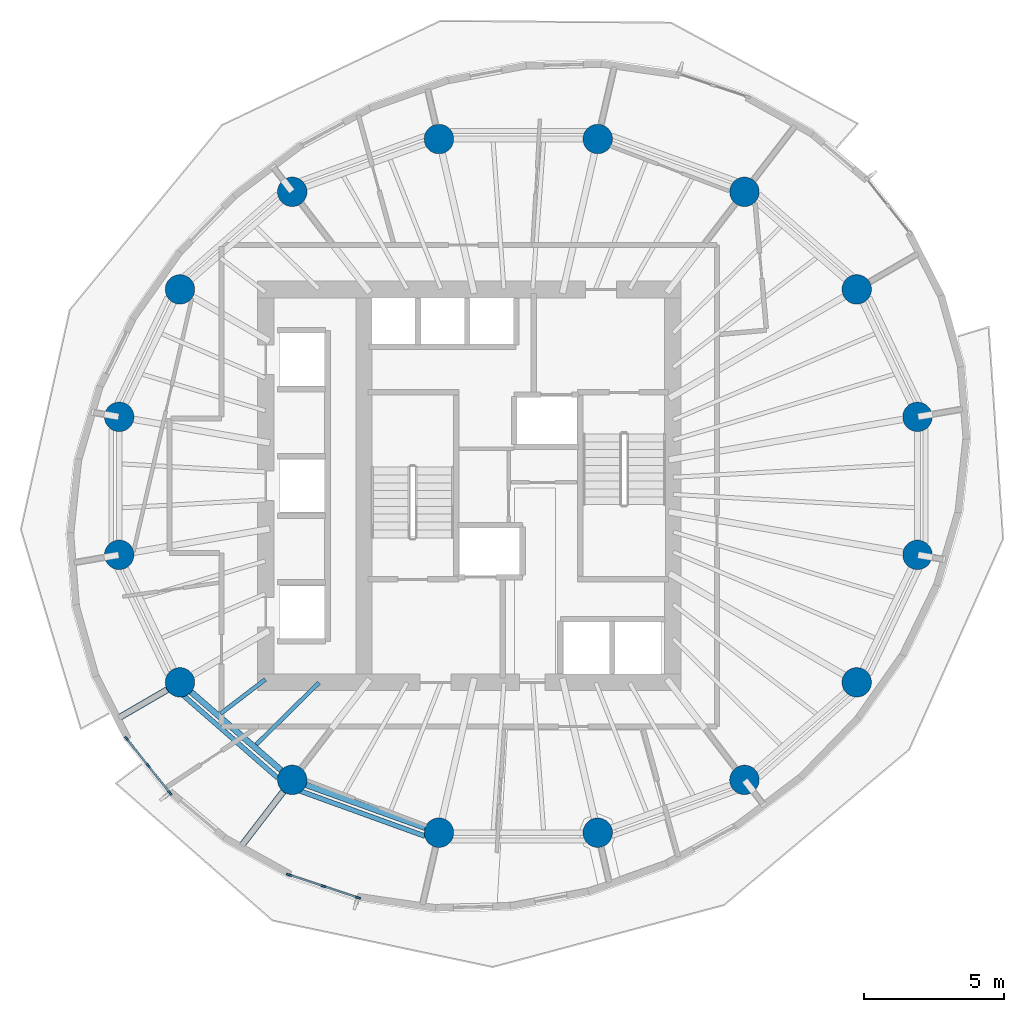
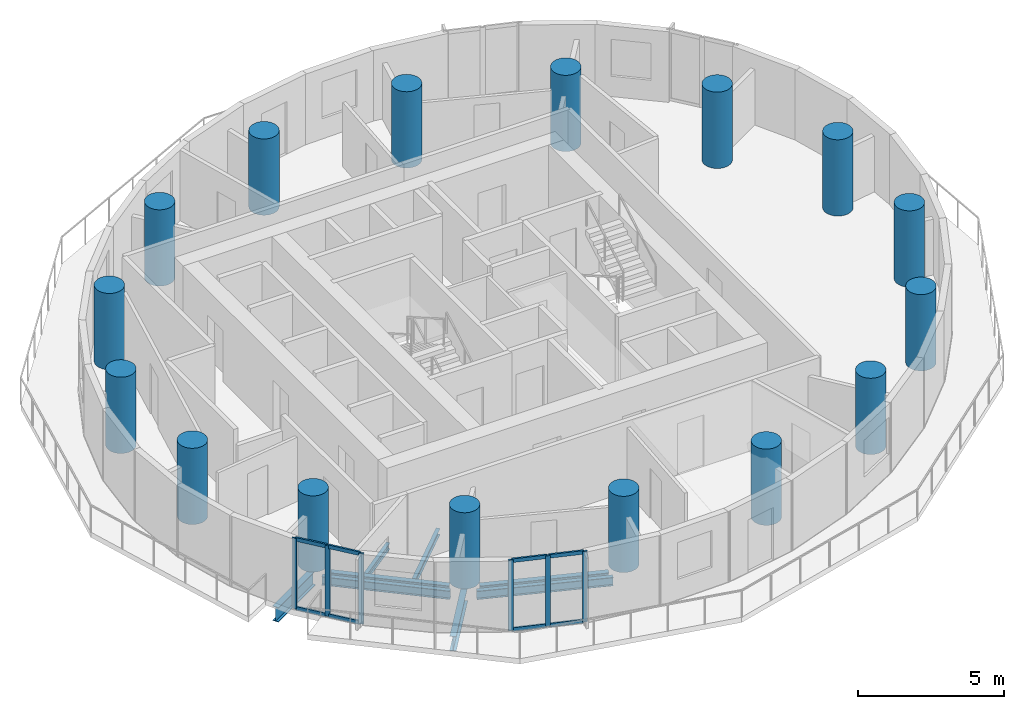
# One storey, part 1 of 12: 16 columns, 14 members, 8 beams, 2 elements without a shape of their own.
"""IFC4 building model written with IfcOpenShell, lengths in metres."""

from ifc_helpers import new_model, si_unit, direction, frame, origin, origin_2d, place, context, subcontext, project, spatial, rectangle, circle, i_section, extrude, material, material_profile, profile_set, type_object, element, aggregate, save


model = new_model("IFC4")

# Units and contexts
model_context = context("Model", 3, precision=1e-05, world=origin(), true_north=direction((0.0, 1.0)))
body_context = subcontext(model_context, "Body", "Model", "MODEL_VIEW")
ifc_project = project(units=[si_unit("LENGTHUNIT", "METRE"), si_unit("AREAUNIT", "SQUARE_METRE"), si_unit("VOLUMEUNIT", "CUBIC_METRE"), si_unit("PLANEANGLEUNIT", "RADIAN"), si_unit("MASSUNIT", "GRAM", prefix="KILO")], contexts=[model_context])

# Site, building, storey
site_placement = place(None, origin())
site = spatial("IfcSite", under=ifc_project, at=site_placement, CompositionType="ELEMENT")
building_placement = place(site_placement, origin())
building = spatial("IfcBuilding", under=site, at=building_placement, Name="Veldorim Arch Residences", CompositionType="ELEMENT")
storey_placement = place(building_placement, frame((0.0, 0.0, 132.9599609375)))
storey = spatial("IfcBuildingStorey", under=building, at=storey_placement, Name="L39", CompositionType="ELEMENT", Elevation=132.9599609375)

# Columns
ifc_material_1 = material(Name="Concrete C50/60", Category="concrete")
ifc_material_profile_1 = material_profile(ifc_material_1, circle(Radius=0.52490234375, at=origin_2d()), Name="RC_CIRC_1050")
ifc_profile_set_1 = profile_set([ifc_material_profile_1], Name="Concrete C50/60")
column_type = type_object("IfcColumnType", Name="Structural Column RC_CIRC_1050", PredefinedType="COLUMN", material=ifc_profile_set_1)
for number, where, z_axis, x_axis, name in (
    (1, (46.221435546875, 26.4580078125, 0.0), (0.0, 0.0, 1.0), (1.0, 0.0, 0.0), "L39 TC-Z3-01 perimeter column"),
    (2, (44.056396484375, 31.000244140625, 0.0), (0.0, 0.0, 1.0), (1.0, 0.0, 0.0), "L39 TC-Z3-02 perimeter column"),
    (3, (40.055908203125, 34.4765625, 0.0), (0.0, 0.0, 1.0), (1.0, 0.0, 0.0), "L39 TC-Z3-03 perimeter column"),
    (4, (34.828857421875, 36.35791015625, 0.0), (0.0, 0.0, 1.0), (1.0, 0.0, 0.0), "L39 TC-Z3-04 perimeter column"),
    (5, (29.171142578125, 36.35791015625, 0.0), (0.0, 0.0, 1.0), (1.0, 0.0, 0.0), "L39 TC-Z3-05 perimeter column"),
    (6, (23.944091796875, 34.4765625, 0.0), (0.0, 0.0, 1.0), (1.0, 0.0, 0.0), "L39 TC-Z3-06 perimeter column"),
    (7, (19.943603515625, 31.000244140625, 0.0), (0.0, 0.0, 1.0), (1.0, 0.0, 0.0), "L39 TC-Z3-07 perimeter column"),
    (8, (17.778564453125, 26.4580078125, 0.0), (0.0, 0.0, 1.0), (1.0, 0.0, 0.0), "L39 TC-Z3-08 perimeter column"),
    (9, (17.778564453125, 21.5419921875, 0.0), (0.0, 0.0, 1.0), (1.0, 0.0, 0.0), "L39 TC-Z3-09 perimeter column"),
    (10, (19.943603515625, 16.999755859375, 0.0), (0.0, 0.0, 1.0), (1.0, 0.0, 0.0), "L39 TC-Z3-10 perimeter column"),
    (11, (23.944091796875, 13.5234375, 0.0), (0.0, 0.0, 1.0), (1.0, 0.0, 0.0), "L39 TC-Z3-11 perimeter column"),
    (12, (29.171142578125, 11.64208984375, 0.0), (0.0, 0.0, 1.0), (1.0, 0.0, 0.0), "L39 TC-Z3-12 perimeter column"),
    (13, (34.828857421875, 11.64208984375, 0.0), (0.0, 0.0, 1.0), (1.0, 0.0, 0.0), "L39 TC-Z3-13 perimeter column"),
    (14, (40.055908203125, 13.5234375, 0.0), (0.0, 0.0, 1.0), (1.0, 0.0, 0.0), "L39 TC-Z3-14 perimeter column"),
    (15, (44.056396484375, 16.999755859375, 0.0), (0.0, 0.0, 1.0), (1.0, 0.0, 0.0), "L39 TC-Z3-15 perimeter column"),
    (16, (46.221435546875, 21.5419921875, 0.0), (0.0, 0.0, 1.0), (1.0, 0.0, 0.0), "L39 TC-Z3-16 perimeter column"),
):
    element("IfcColumn", number, at=place(storey_placement, frame(where, z_axis=z_axis, x_axis=x_axis)), inside=storey, type_object=column_type, Name=name, PredefinedType="COLUMN", context=body_context, shape_type="SweptSolid", body=[
        extrude(circle(Radius=0.52490234375, at=origin_2d()), origin(), (0.0, 0.0, 1.0), 3.199951171875),
    ])

# Beams
ifc_material_2 = material(Name="Steel S355", Category="steel")
ifc_material_profile_2 = material_profile(ifc_material_2, i_section(OverallWidth=0.2099609375, OverallDepth=0.53662109375, WebThickness=0.0107421875, FlangeThickness=0.017333984375, at=origin_2d()), Name="UB533x210x101")
ifc_profile_set_2 = profile_set([ifc_material_profile_2], Name="Steel S355")
beam_type_1 = type_object("IfcBeamType", Name="Structural Steel Beam UB533x210x101", PredefinedType="BEAM", material=ifc_profile_set_2)
beam_1_placement = place(storey_placement, frame((20.340087890625, 16.655517578125, -0.50830078125), z_axis=(0.754810789581, -0.655942582802, 0.0), x_axis=(0.655942582802, 0.754810789581, 0.0)))
element("IfcBeam", 17, at=beam_1_placement, inside=storey, type_object=beam_type_1, Name="L39 perimeter ring tie beam 10", PredefinedType="BEAM", context=body_context, shape_type="SweptSolid", body=[
    extrude(i_section(OverallWidth=0.2099609375, OverallDepth=0.53662109375, WebThickness=0.0107421875, FlangeThickness=0.017333984375, at=origin_2d()), origin(), (0.0, 0.0, 1.0), 4.249755859375),
])
beam_2_placement = place(storey_placement, frame((24.438232421875, 13.345703125, -0.50830078125), z_axis=(0.940899155006, -0.338686846673, 0.0), x_axis=(0.338686846673, 0.940899155006, 0.0)))
element("IfcBeam", 18, at=beam_2_placement, inside=storey, type_object=beam_type_1, Name="L39 perimeter ring tie beam 11", PredefinedType="BEAM", context=body_context, shape_type="SweptSolid", body=[
    extrude(i_section(OverallWidth=0.2099609375, OverallDepth=0.53662109375, WebThickness=0.0107421875, FlangeThickness=0.017333984375, at=origin_2d()), origin(), (0.0, 0.0, 1.0), 4.50537109375),
])
ifc_material_3 = material(Name="Steel S355", Category="steel")
ifc_material_profile_3 = material_profile(ifc_material_3, i_section(OverallWidth=0.22900390625, OverallDepth=0.6123046875, WebThickness=0.011962890625, FlangeThickness=0.01953125, at=origin_2d()), Name="UB610x229x125")
ifc_profile_set_3 = profile_set([ifc_material_profile_3], Name="Steel S355")
beam_type_2 = type_object("IfcBeamType", Name="Structural Steel Beam UB610x229x125", PredefinedType="BEAM", material=ifc_profile_set_3)
beam_3_placement = place(storey_placement, frame((19.926513671875, 16.98974609375, -0.546142578125), z_axis=(-0.864786295309, -0.502140083488, 0.0), x_axis=(0.502140083488, -0.864786295309, 0.0)))
element("IfcBeam", 19, at=beam_3_placement, inside=storey, type_object=beam_type_2, Name="L39 radial edge cantilever girder 10", PredefinedType="BEAM", context=body_context, shape_type="SweptSolid", body=[
    extrude(i_section(OverallWidth=0.22900390625, OverallDepth=0.6123046875, WebThickness=0.011962890625, FlangeThickness=0.01953125, at=origin_2d()), origin(), (0.0, 0.0, 1.0), 2.579833984375),
])
beam_4_placement = place(storey_placement, frame((23.931884765625, 13.507568359375, -0.546142578125), z_axis=(-0.609562364778, -0.792738117821, 0.0), x_axis=(0.792738117821, -0.609562364778, 0.0)))
element("IfcBeam", 20, at=beam_4_placement, inside=storey, type_object=beam_type_2, Name="L39 radial edge cantilever girder 11", PredefinedType="BEAM", context=body_context, shape_type="SweptSolid", body=[
    extrude(i_section(OverallWidth=0.22900390625, OverallDepth=0.6123046875, WebThickness=0.011962890625, FlangeThickness=0.01953125, at=origin_2d()), origin(), (0.0, 0.0, 1.0), 3.021484375),
])
ifc_material_4 = material(Name="Steel S355", Category="steel")
ifc_material_profile_4 = material_profile(ifc_material_4, i_section(OverallWidth=0.146484375, OverallDepth=0.256103515625, WebThickness=0.00634765625, FlangeThickness=0.010986328125, at=origin_2d()), Name="UB254x146x37")
ifc_profile_set_4 = profile_set([ifc_material_profile_4], Name="Steel S355")
beam_type_3 = type_object("IfcBeamType", Name="Structural Steel Joist UB254x146x37", PredefinedType="JOIST", material=ifc_profile_set_4)
beam_5_placement = place(storey_placement, frame((22.984130859375, 17.10302734375, -0.367919921875), z_axis=(-0.794312925337, -0.607508828448, 0.0), x_axis=(0.607508828448, -0.794312925337, 0.0)))
element("IfcBeam", 21, at=beam_5_placement, inside=storey, type_object=beam_type_3, Name="L39 secondary radial floor joist 10-1", PredefinedType="JOIST", context=body_context, shape_type="SweptSolid", body=[
    extrude(i_section(OverallWidth=0.146484375, OverallDepth=0.256103515625, WebThickness=0.00634765625, FlangeThickness=0.010986328125, at=origin_2d()), origin(), (0.0, 0.0, 1.0), 2.006103515625),
])
beam_6_placement = place(storey_placement, frame((24.894287109375, 16.986083984375, -0.367919921875), z_axis=(-0.711683379532, -0.702500368183, 0.0), x_axis=(0.702500368183, -0.711683379532, 0.0)))
element("IfcBeam", 22, at=beam_6_placement, inside=storey, type_object=beam_type_3, Name="L39 secondary radial floor joist 10-2", PredefinedType="JOIST", context=body_context, shape_type="SweptSolid", body=[
    extrude(i_section(OverallWidth=0.146484375, OverallDepth=0.256103515625, WebThickness=0.00634765625, FlangeThickness=0.010986328125, at=origin_2d()), origin(), (0.0, 0.0, 1.0), 3.13720703125),
])
ifc_material_5 = material(Name="Steel S355", Category="steel")
ifc_material_profile_5 = material_profile(ifc_material_5, i_section(OverallWidth=0.172119140625, OverallDepth=0.35791015625, WebThickness=0.008056640625, FlangeThickness=0.012939453125, at=origin_2d()), Name="UB356x171x57")
ifc_profile_set_5 = profile_set([ifc_material_profile_5], Name="Steel S355")
beam_type_4 = type_object("IfcBeamType", Name="Structural Steel Spandrel UB356x171x57", PredefinedType="SPANDREL", material=ifc_profile_set_5)
beam_7_placement = place(storey_placement, frame((20.0419921875, 16.55078125, -0.43896484375), z_axis=(0.753014748982, -0.658003638148, 0.0), x_axis=(0.658003638148, 0.753014748982, 0.0)))
element("IfcBeam", 23, at=beam_7_placement, inside=storey, type_object=beam_type_4, Name="L39 perimeter chord spandrel beam 10", PredefinedType="SPANDREL", context=body_context, shape_type="SweptSolid", body=[
    extrude(i_section(OverallWidth=0.172119140625, OverallDepth=0.35791015625, WebThickness=0.008056640625, FlangeThickness=0.012939453125, at=origin_2d()), origin(), (0.0, 0.0, 1.0), 4.486572265625),
])
beam_8_placement = place(storey_placement, frame((24.20263671875, 13.13720703125, -0.43896484375), z_axis=(0.940212553113, -0.340588248429, 0.0), x_axis=(0.340588248429, 0.940212553113, 0.0)))
element("IfcBeam", 24, at=beam_8_placement, inside=storey, type_object=beam_type_4, Name="L39 perimeter chord spandrel beam 11", PredefinedType="SPANDREL", context=body_context, shape_type="SweptSolid", body=[
    extrude(i_section(OverallWidth=0.172119140625, OverallDepth=0.35791015625, WebThickness=0.008056640625, FlangeThickness=0.012939453125, at=origin_2d()), origin(), (0.0, 0.0, 1.0), 4.75390625),
])

# Curtain wall, members
ifc_material_6 = material(Name="Aluminium", Category="aluminium")
curtain_wall_type = type_object("IfcCurtainWallType", Name="Zone 3 High-Wind Unitised Curtain Wall", PredefinedType="NOTDEFINED", material=ifc_material_6)
curtain_wall_1_placement = place(storey_placement, origin())
curtain_wall_1 = element("IfcCurtainWall", 25, at=curtain_wall_1_placement, inside=storey, type_object=curtain_wall_type, Name="L39 unitised curtain wall bay 19", PredefinedType="NOTDEFINED")
ifc_material_7 = material(Name="Aluminium", Category="aluminium")
ifc_material_profile_6 = material_profile(ifc_material_7, rectangle(XDim=0.070068359375, YDim=0.179931640625, at=origin_2d()), Name="ALU_MUL_70x180")
ifc_profile_set_6 = profile_set([ifc_material_profile_6], Name="Aluminium")
member_type_1 = type_object("IfcMemberType", Name="Zone 3 High-Wind Unitised Curtain Wall Mullion 70x180", PredefinedType="MULLION", material=ifc_profile_set_6)
member_1_placement = place(storey_placement, frame((19.58251953125, 13.0634765625, 0.0), z_axis=(0.0, 0.0, 1.0), x_axis=(-0.782556048079, -0.622580140716, 0.0)))
member_1 = element("IfcMember", 26, at=member_1_placement, type_object=member_type_1, Name="CW-Z3 mullion 1", PredefinedType="MULLION", context=body_context, shape_type="SweptSolid", body=[
    extrude(rectangle(XDim=0.070068359375, YDim=0.179931640625, at=origin_2d()), origin(), (0.0, 0.0, 1.0), 2.9599609375),
])
member_2_placement = place(storey_placement, frame((18.8154296875, 14.02783203125, 0.0), z_axis=(0.0, 0.0, 1.0), x_axis=(-0.782556048079, -0.622580140716, 0.0)))
member_2 = element("IfcMember", 27, at=member_2_placement, type_object=member_type_1, Name="CW-Z3 mullion 2", PredefinedType="MULLION", context=body_context, shape_type="SweptSolid", body=[
    extrude(rectangle(XDim=0.070068359375, YDim=0.179931640625, at=origin_2d()), origin(), (0.0, 0.0, 1.0), 2.9599609375),
])
member_3_placement = place(storey_placement, frame((18.04833984375, 14.991943359375, 0.0), z_axis=(0.0, 0.0, 1.0), x_axis=(-0.782556048079, -0.622580140716, 0.0)))
member_3 = element("IfcMember", 28, at=member_3_placement, type_object=member_type_1, Name="CW-Z3 mullion 3", PredefinedType="MULLION", context=body_context, shape_type="SweptSolid", body=[
    extrude(rectangle(XDim=0.070068359375, YDim=0.179931640625, at=origin_2d()), origin(), (0.0, 0.0, 1.0), 2.9599609375),
])

curtain_wall_2_placement = place(storey_placement, origin())
curtain_wall_2 = element("IfcCurtainWall", 29, at=curtain_wall_2_placement, inside=storey, type_object=curtain_wall_type, Name="L39 unitised curtain wall bay 22", PredefinedType="NOTDEFINED")
member_4_placement = place(storey_placement, frame((26.28759765625, 9.3251953125, 0.0), z_axis=(0.0, 0.0, 1.0), x_axis=(-0.315551503895, -0.948908451006, 0.0)))
member_4 = element("IfcMember", 30, at=member_4_placement, type_object=member_type_1, Name="CW-Z3 mullion 1", PredefinedType="MULLION", context=body_context, shape_type="SweptSolid", body=[
    extrude(rectangle(XDim=0.070068359375, YDim=0.179931640625, at=origin_2d()), origin(), (0.0, 0.0, 1.0), 2.9599609375),
])
member_5_placement = place(storey_placement, frame((25.0576171875, 9.734130859375, 0.0), z_axis=(0.0, 0.0, 1.0), x_axis=(-0.315551503895, -0.948908451006, 0.0)))
member_5 = element("IfcMember", 31, at=member_5_placement, type_object=member_type_1, Name="CW-Z3 mullion 2", PredefinedType="MULLION", context=body_context, shape_type="SweptSolid", body=[
    extrude(rectangle(XDim=0.070068359375, YDim=0.179931640625, at=origin_2d()), origin(), (0.0, 0.0, 1.0), 2.9599609375),
])
member_6_placement = place(storey_placement, frame((23.827880859375, 10.14306640625, 0.0), z_axis=(0.0, 0.0, 1.0), x_axis=(-0.315551503895, -0.948908451006, 0.0)))
member_6 = element("IfcMember", 32, at=member_6_placement, type_object=member_type_1, Name="CW-Z3 mullion 3", PredefinedType="MULLION", context=body_context, shape_type="SweptSolid", body=[
    extrude(rectangle(XDim=0.070068359375, YDim=0.179931640625, at=origin_2d()), origin(), (0.0, 0.0, 1.0), 2.9599609375),
])

# Member
ifc_material_8 = material(Name="Aluminium", Category="aluminium")
ifc_material_profile_7 = material_profile(ifc_material_8, rectangle(XDim=0.070068359375, YDim=0.155029296875, at=origin_2d()), Name="ALU_TRN_70x155")
ifc_profile_set_7 = profile_set([ifc_material_profile_7], Name="Aluminium")
member_type_2 = type_object("IfcMemberType", Name="Zone 3 High-Wind Unitised Curtain Wall Transom 70x155", PredefinedType="USERDEFINED", material=ifc_profile_set_7)
member_7_placement = place(storey_placement, frame((19.560791015625, 13.091064453125, 0.03515625), z_axis=(-0.622745807407, 0.782424219562, 0.0), x_axis=(-0.782424219562, -0.622745807407, 0.0)))
member_7 = element("IfcMember", 33, at=member_7_placement, type_object=member_type_2, Name="CW-Z3 transom 1.1", ObjectType="TRANSOM", PredefinedType="USERDEFINED", context=body_context, shape_type="SweptSolid", body=[
    extrude(rectangle(XDim=0.070068359375, YDim=0.155029296875, at=origin_2d()), origin(), (0.0, 0.0, 1.0), 1.162109375),
])

member_8_placement = place(storey_placement, frame((19.560791015625, 13.091064453125, 2.925048828125), z_axis=(-0.622745807407, 0.782424219562, 0.0), x_axis=(-0.782424219562, -0.622745807407, 0.0)))
member_8 = element("IfcMember", 34, at=member_8_placement, type_object=member_type_2, Name="CW-Z3 transom 1.2", ObjectType="TRANSOM", PredefinedType="USERDEFINED", context=body_context, shape_type="SweptSolid", body=[
    extrude(rectangle(XDim=0.070068359375, YDim=0.155029296875, at=origin_2d()), origin(), (0.0, 0.0, 1.0), 1.162109375),
])

member_9_placement = place(storey_placement, frame((18.793701171875, 14.05517578125, 0.03515625), z_axis=(-0.622643445839, 0.782505680078, 0.0), x_axis=(-0.782505680078, -0.622643445839, 0.0)))
member_9 = element("IfcMember", 35, at=member_9_placement, type_object=member_type_2, Name="CW-Z3 transom 2.1", ObjectType="TRANSOM", PredefinedType="USERDEFINED", context=body_context, shape_type="SweptSolid", body=[
    extrude(rectangle(XDim=0.070068359375, YDim=0.155029296875, at=origin_2d()), origin(), (0.0, 0.0, 1.0), 1.162109375),
])

member_10_placement = place(storey_placement, frame((18.793701171875, 14.05517578125, 2.925048828125), z_axis=(-0.622643445839, 0.782505680078, 0.0), x_axis=(-0.782505680078, -0.622643445839, 0.0)))
member_10 = element("IfcMember", 36, at=member_10_placement, type_object=member_type_2, Name="CW-Z3 transom 2.2", ObjectType="TRANSOM", PredefinedType="USERDEFINED", context=body_context, shape_type="SweptSolid", body=[
    extrude(rectangle(XDim=0.070068359375, YDim=0.155029296875, at=origin_2d()), origin(), (0.0, 0.0, 1.0), 1.162109375),
])

aggregate(curtain_wall_1, [member_1, member_2, member_3, member_7, member_8, member_9, member_10])

member_11_placement = place(storey_placement, frame((26.25439453125, 9.336181640625, 0.03515625), z_axis=(-0.948902078568, 0.315570666079, 0.0), x_axis=(-0.315570666079, -0.948902078568, 0.0)))
member_11 = element("IfcMember", 37, at=member_11_placement, type_object=member_type_2, Name="CW-Z3 transom 1.1", ObjectType="TRANSOM", PredefinedType="USERDEFINED", context=body_context, shape_type="SweptSolid", body=[
    extrude(rectangle(XDim=0.070068359375, YDim=0.155029296875, at=origin_2d()), origin(), (0.0, 0.0, 1.0), 1.226318359375),
])

member_12_placement = place(storey_placement, frame((26.25439453125, 9.336181640625, 2.925048828125), z_axis=(-0.948902078568, 0.315570666079, 0.0), x_axis=(-0.315570666079, -0.948902078568, 0.0)))
member_12 = element("IfcMember", 38, at=member_12_placement, type_object=member_type_2, Name="CW-Z3 transom 1.2", ObjectType="TRANSOM", PredefinedType="USERDEFINED", context=body_context, shape_type="SweptSolid", body=[
    extrude(rectangle(XDim=0.070068359375, YDim=0.155029296875, at=origin_2d()), origin(), (0.0, 0.0, 1.0), 1.226318359375),
])

member_13_placement = place(storey_placement, frame((25.0244140625, 9.7451171875, 0.03515625), z_axis=(-0.948882245783, 0.315630295817, 0.0), x_axis=(-0.315630295817, -0.948882245783, 0.0)))
member_13 = element("IfcMember", 39, at=member_13_placement, type_object=member_type_2, Name="CW-Z3 transom 2.1", ObjectType="TRANSOM", PredefinedType="USERDEFINED", context=body_context, shape_type="SweptSolid", body=[
    extrude(rectangle(XDim=0.070068359375, YDim=0.155029296875, at=origin_2d()), origin(), (0.0, 0.0, 1.0), 1.22607421875),
])

member_14_placement = place(storey_placement, frame((25.0244140625, 9.7451171875, 2.925048828125), z_axis=(-0.948882245783, 0.315630295817, 0.0), x_axis=(-0.315630295817, -0.948882245783, 0.0)))
member_14 = element("IfcMember", 40, at=member_14_placement, type_object=member_type_2, Name="CW-Z3 transom 2.2", ObjectType="TRANSOM", PredefinedType="USERDEFINED", context=body_context, shape_type="SweptSolid", body=[
    extrude(rectangle(XDim=0.070068359375, YDim=0.155029296875, at=origin_2d()), origin(), (0.0, 0.0, 1.0), 1.22607421875),
])

aggregate(curtain_wall_2, [member_4, member_5, member_6, member_11, member_12, member_13, member_14])

save(model, "model.ifc")
